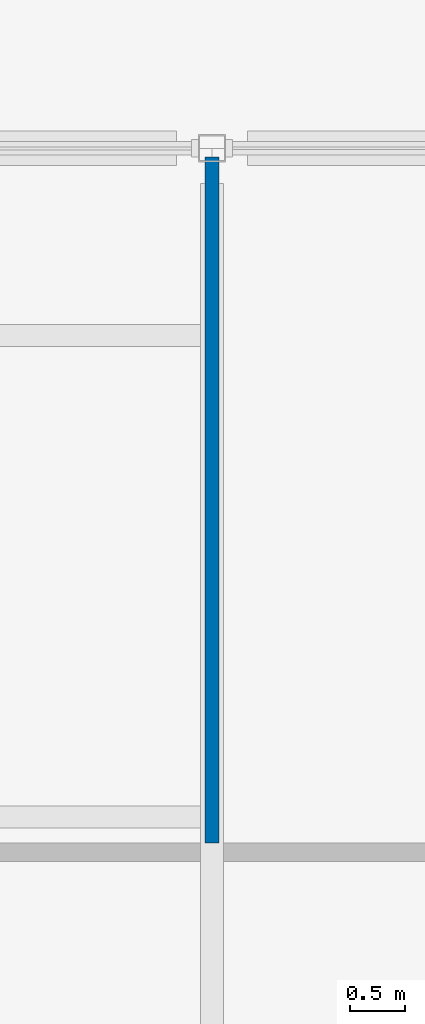
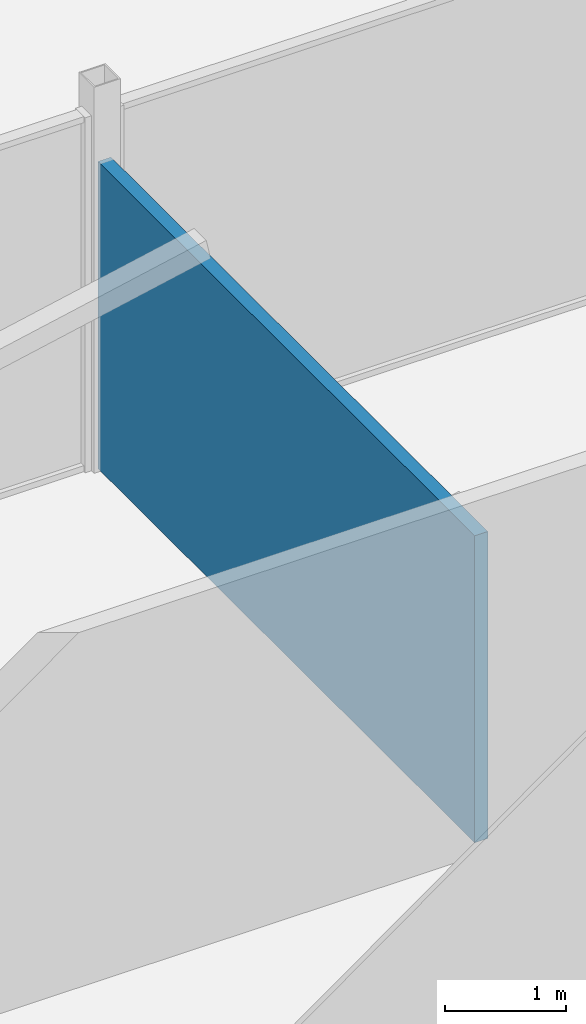
# One storey, part 63 of 105: 1 wall.
"""IFC4 building model written with IfcOpenShell, lengths in metres."""

from ifc_helpers import new_model, si_unit, direction, frame, frame_2d, origin, place, context, subcontext, project, spatial, rectangle, extrude, material, layer, layer_set, type_object, element, save


model = new_model("IFC4")

# Units and contexts
model_context = context("Model", 3, precision=1e-05, world=origin(), true_north=direction((0.0, 1.0)))
body_context = subcontext(model_context, "Body", "Model", "MODEL_VIEW")
ifc_project = project(units=[si_unit("LENGTHUNIT", "METRE"), si_unit("AREAUNIT", "SQUARE_METRE"), si_unit("VOLUMEUNIT", "CUBIC_METRE"), si_unit("PLANEANGLEUNIT", "RADIAN"), si_unit("MASSUNIT", "GRAM", prefix="KILO")], contexts=[model_context])

# Site, building, storey
site_placement = place(None, origin())
site = spatial("IfcSite", under=ifc_project, at=site_placement, CompositionType="ELEMENT")
building_placement = place(site_placement, origin())
building = spatial("IfcBuilding", under=site, at=building_placement, Name="Kisiwana Market Hall", CompositionType="ELEMENT")
storey_placement = place(building_placement, frame((0.0, 0.0, 21.60009765625)))
storey = spatial("IfcBuildingStorey", under=building, at=storey_placement, Name="L04", CompositionType="ELEMENT", Elevation=21.60009765625)

# Wall
ifc_material = material(Name="Gypsum plasterboard")
ifc_layer = layer(ifc_material, 0.125, Name="Double gypsum board + acoustic stud")
ifc_layer_set = layer_set([ifc_layer], Name="WL-OFF-125")
wall_type = type_object("IfcWallType", Name="WL-OFF-125", PredefinedType="PARTITIONING", material=ifc_layer_set)
wall_placement = place(storey_placement, frame((99.0, 20.68505859375, 0.0), z_axis=(0.0, 0.0, 1.0), x_axis=(0.0, 1.0, 0.0)))
element("IfcWall", 1, at=wall_placement, inside=storey, type_object=wall_type, Name="Interior partition W-1698", PredefinedType="PARTITIONING", context=body_context, shape_type="SweptSolid", body=[
    extrude(rectangle(XDim=6.23486328125, YDim=0.125, at=frame_2d((3.117431640625, 0.0))), origin(), (0.0, 0.0, 1.0), 3.101806640625),
])

save(model, "model.ifc")
